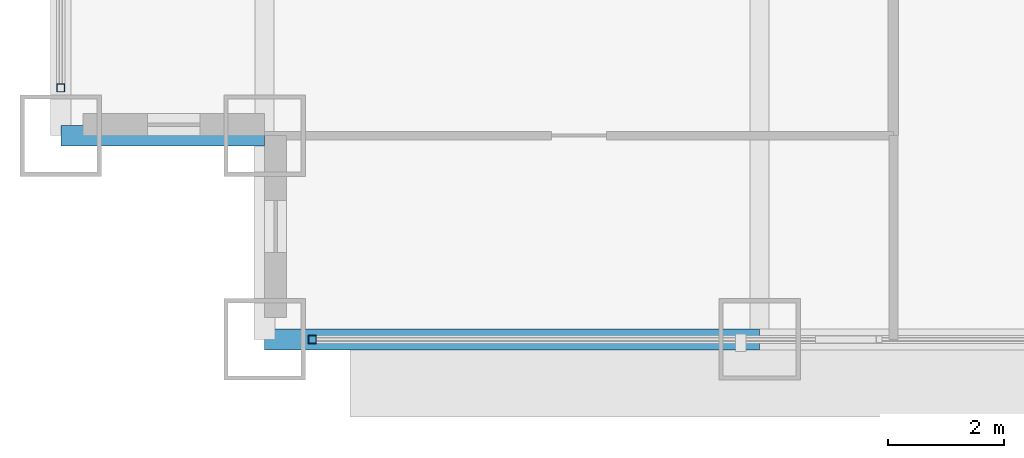
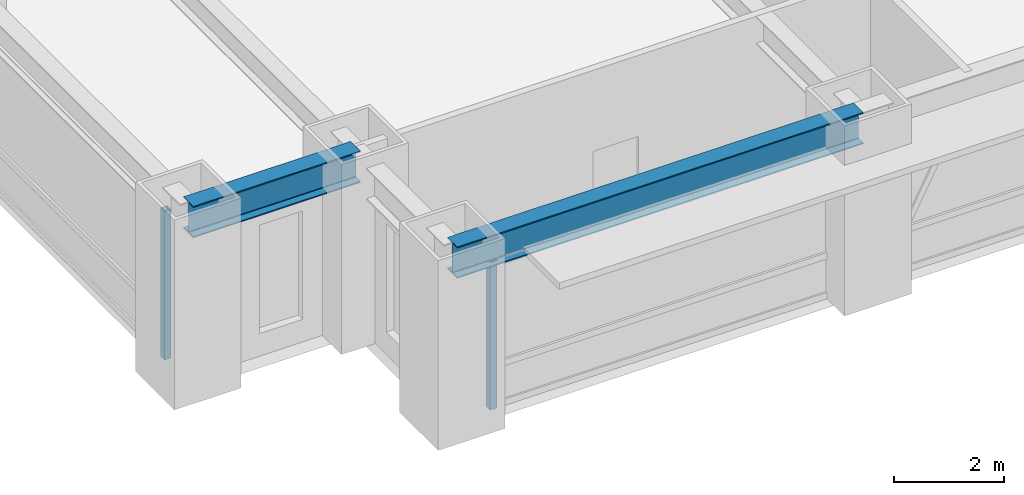
# One storey, part 2 of 31: 2 beams, 2 members, 2 elements without a shape of their own.
"""IFC4 building model written with IfcOpenShell, lengths in metres."""

from ifc_helpers import new_model, si_unit, direction, frame, origin, origin_2d, place, context, subcontext, project, spatial, hollow_rectangle, i_section, extrude, source, transform, mapped, material, material_profile, profile_set, type_object, element, aggregate, save


model = new_model("IFC4")

# Units and contexts
model_context = context("Model", 3, precision=1e-05, world=origin(), true_north=direction((0.0, 1.0)))
body_context = subcontext(model_context, "Body", "Model", "MODEL_VIEW")
ifc_project = project(units=[si_unit("LENGTHUNIT", "METRE"), si_unit("AREAUNIT", "SQUARE_METRE"), si_unit("VOLUMEUNIT", "CUBIC_METRE"), si_unit("PLANEANGLEUNIT", "RADIAN"), si_unit("MASSUNIT", "GRAM", prefix="KILO")], contexts=[model_context])

# Site, building, storey
site_placement = place(None, origin())
site = spatial("IfcSite", under=ifc_project, at=site_placement, CompositionType="ELEMENT")
building_placement = place(site_placement, origin())
building = spatial("IfcBuilding", under=site, at=building_placement, Name="Khorayat Bourse Tower", CompositionType="ELEMENT")
storey_placement = place(building_placement, frame((0.0, 0.0, 36.800048828125)))
storey = spatial("IfcBuildingStorey", under=building, at=storey_placement, Name="L07", CompositionType="ELEMENT", Elevation=36.800048828125)

# Beams
ifc_material_1 = material(Name="Steel ASTM A992 Grade 50", Category="steel")
ifc_material_profile_1 = material_profile(ifc_material_1, i_section(OverallWidth=0.35498046875, OverallDepth=0.695068359375, WebThickness=0.015380859375, FlangeThickness=0.02490234375, FilletRadius=0.01806640625, at=origin_2d()), Name="W690X217")
ifc_profile_set_1 = profile_set([ifc_material_profile_1], Name="Steel ASTM A992 Grade 50")
beam_type = type_object("IfcBeamType", Name="BM-SPAN-690", PredefinedType="SPANDREL", material=ifc_profile_set_1)
shared_shape_1 = source(origin(), body_context, "Body", "SweptSolid", [
    extrude(i_section(OverallWidth=0.35498046875, OverallDepth=0.695068359375, WebThickness=0.015380859375, FlangeThickness=0.02490234375, FilletRadius=0.01806640625, at=origin_2d()), origin(), (0.0, 0.0, 1.0), 8.5),
])
beam_1_placement = place(storey_placement, frame((-28.5, -32.0, 3.592529296875), z_axis=(1.0, 0.0, 0.0), x_axis=(0.0, 1.0, 0.0)))
element("IfcBeam", 1, at=beam_1_placement, inside=storey, type_object=beam_type, Name="L07 BM-SPAN-690 BM-L07-SPN-024", PredefinedType="SPANDREL", context=body_context, shape_type="MappedRepresentation", body=[
    mapped(shared_shape_1, transform((0.0, 0.0, 0.0), scale=1.0)),
])
shared_shape_2 = source(origin(), body_context, "Body", "SweptSolid", [
    extrude(i_section(OverallWidth=0.35498046875, OverallDepth=0.695068359375, WebThickness=0.015380859375, FlangeThickness=0.02490234375, FilletRadius=0.01806640625, at=origin_2d()), origin(), (0.0, 0.0, 1.0), 3.5),
])
beam_2_placement = place(storey_placement, frame((-32.0, -28.5, 3.592529296875), z_axis=(1.0, 0.0, 0.0), x_axis=(0.0, 1.0, 0.0)))
element("IfcBeam", 2, at=beam_2_placement, inside=storey, type_object=beam_type, Name="L07 BM-SPAN-690 BM-L07-SPN-062", PredefinedType="SPANDREL", context=body_context, shape_type="MappedRepresentation", body=[
    mapped(shared_shape_2, transform((0.0, 0.0, 0.0), scale=1.0)),
])

# Curtain wall, member
ifc_material_2 = material(Name="Aluminium EN AW-6063 T6", Category="aluminium")
curtain_wall_type = type_object("IfcCurtainWallType", Name="CW-SYS-02", PredefinedType="NOTDEFINED", material=ifc_material_2)
curtain_wall_1_placement = place(storey_placement, origin())
curtain_wall_1 = element("IfcCurtainWall", 3, at=curtain_wall_1_placement, inside=storey, type_object=curtain_wall_type, Name="L07 Curtain Wall CW-L07-S1", PredefinedType="NOTDEFINED")
ifc_material_profile_2 = material_profile(ifc_material_2, hollow_rectangle(XDim=0.139892578125, YDim=0.139892578125, WallThickness=0.006103515625, at=origin_2d()), Name="ALU 140x140x6")
ifc_profile_set_2 = profile_set([ifc_material_profile_2], Name="Aluminium EN AW-6063 T6")
member_type = type_object("IfcMemberType", Name="CWM-VERT-140", PredefinedType="MULLION", material=ifc_profile_set_2)
shared_shape_3 = source(origin(), body_context, "Body", "SweptSolid", [
    extrude(hollow_rectangle(XDim=0.139892578125, YDim=0.139892578125, WallThickness=0.006103515625, at=origin_2d()), origin(), (0.0, 0.0, 1.0), 3.2900390625),
])
member_1_placement = place(storey_placement, frame((-27.679931640625, -32.0, 0.0), z_axis=(0.0, 0.0, 1.0), x_axis=(0.0, 1.0, 0.0)))
member_1 = element("IfcMember", 4, at=member_1_placement, type_object=member_type, Name="CW-L07-S1 Vertical Mullion 1", PredefinedType="MULLION", context=body_context, shape_type="MappedRepresentation", body=[
    mapped(shared_shape_3, transform((0.0, 0.0, 0.0), scale=1.0)),
])
aggregate(curtain_wall_1, [member_1])

curtain_wall_2_placement = place(storey_placement, origin())
curtain_wall_2 = element("IfcCurtainWall", 5, at=curtain_wall_2_placement, inside=storey, type_object=curtain_wall_type, Name="L07 Curtain Wall CW-L07-W1", PredefinedType="NOTDEFINED")
member_2_placement = place(storey_placement, frame((-32.0, -27.679931640625, 0.0), z_axis=(0.0, 0.0, 1.0), x_axis=(-1.0, 0.0, 0.0)))
member_2 = element("IfcMember", 6, at=member_2_placement, type_object=member_type, Name="CW-L07-W1 Vertical Mullion 1", PredefinedType="MULLION", context=body_context, shape_type="MappedRepresentation", body=[
    mapped(shared_shape_3, transform((0.0, 0.0, 0.0), scale=1.0)),
])
aggregate(curtain_wall_2, [member_2])

save(model, "model.ifc")
